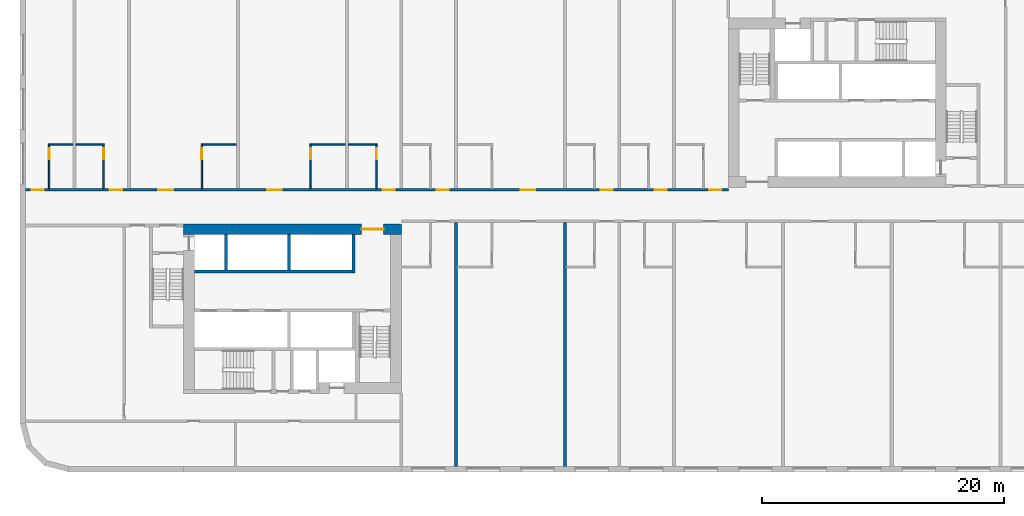
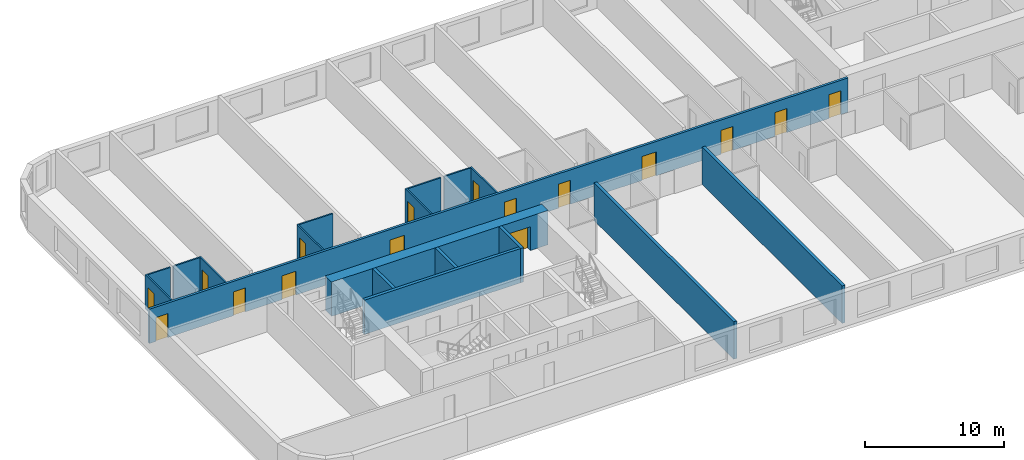
# One storey, part 3 of 12: 18 walls, 16 doors, 16 openings.
"""IFC4 building model written with IfcOpenShell, lengths in metres."""

from ifc_helpers import new_model, si_unit, direction, frame, frame_2d, origin, place, context, subcontext, project, spatial, rectangle, extrude, material, layer, layer_set, type_object, element, fill, save


model = new_model("IFC4")

# Units and contexts
model_context = context("Model", 3, precision=1e-05, world=origin(), true_north=direction((0.0, 1.0)))
body_context = subcontext(model_context, "Body", "Model", "MODEL_VIEW")
ifc_project = project(units=[si_unit("LENGTHUNIT", "METRE"), si_unit("AREAUNIT", "SQUARE_METRE"), si_unit("VOLUMEUNIT", "CUBIC_METRE"), si_unit("PLANEANGLEUNIT", "RADIAN"), si_unit("MASSUNIT", "GRAM", prefix="KILO")], contexts=[model_context])

# Site, building, storey
site_placement = place(None, origin())
site = spatial("IfcSite", under=ifc_project, at=site_placement, CompositionType="ELEMENT")
building_placement = place(site_placement, origin())
building = spatial("IfcBuilding", under=site, at=building_placement, Name="Kajstack Hotel Tower", CompositionType="ELEMENT")
storey_placement = place(building_placement, frame((0.0, 0.0, 66.60009765625)))
storey = spatial("IfcBuildingStorey", under=building, at=storey_placement, Name="L11", CompositionType="ELEMENT", Elevation=66.60009765625)

# Wall, opening, door
ifc_material_1 = material(Name="Concrete C60/75", Category="concrete")
ifc_layer_1 = layer(ifc_material_1, 0.89990234375)
ifc_layer_set_1 = layer_set([ifc_layer_1], Name="Core wall 900")
wall_type_1 = type_object("IfcWallType", Name="Core wall 900", PredefinedType="SHEAR", material=ifc_layer_set_1)
wall_1_placement = place(storey_placement, frame((-31.5, -1.949951171875, 0.0), z_axis=(0.0, 0.0, 1.0), x_axis=(1.0, 0.0, 0.0)))
wall_1 = element("IfcWall", 1, at=wall_1_placement, inside=storey, type_object=wall_type_1, Name="Core wall W RN", PredefinedType="SHEAR", context=body_context, shape_type="SweptSolid", body=[
    extrude(rectangle(XDim=18.0, YDim=0.89990234375, at=frame_2d((9.0, 0.0))), origin(), (0.0, 0.0, 1.0), 3.02001953125),
])
opening_1_placement = place(wall_1_placement, frame((14.72509765625, 0.0, 0.0)))
opening_1 = element("IfcOpeningElement", 2, at=opening_1_placement, cuts=wall_1, Name="Opening 11W06", PredefinedType="OPENING", context=body_context, shape_type="SweptSolid", body=[
    extrude(rectangle(XDim=1.800048828125, YDim=2.10009765625, at=frame_2d((0.89990234375, 1.050048828125))), frame((0.0, 0.4599609375, 0.0), z_axis=(0.0, -1.0, 0.0), x_axis=(1.0, 0.0, 0.0)), (0.0, 0.0, 1.0), 0.919921875),
])
ifc_material_2 = material(Name="Glazed steel frame, fire-rated glass", Category="steel")
door_type_1 = type_object("IfcDoorType", Name="Lobby double door 1800", OperationType="DOUBLE_DOOR_DOUBLE_SWING", PredefinedType="DOOR", material=ifc_material_2)
door_1_placement = place(opening_1_placement, origin())
door_1 = element("IfcDoor", 3, at=door_1_placement, inside=storey, type_object=door_type_1, Name="Door 11W06", OperationType="DOUBLE_DOOR_DOUBLE_SWING", OverallHeight=2.10009765625, OverallWidth=1.800048828125, PredefinedType="DOOR", context=body_context, shape_type="SweptSolid", body=[
    extrude(rectangle(XDim=1.800048828125, YDim=2.10009765625, at=frame_2d((0.89990234375, 1.050048828125))), frame((0.0, 0.02490234375, 0.0), z_axis=(0.0, -1.0, 0.0), x_axis=(1.0, 0.0, 0.0)), (0.0, 0.0, 1.0), 0.050048828125),
])
fill(opening_1, door_1)

# Wall, openings, doors
ifc_material_3 = material(Name="Gypsum board on steel studs, mineral wool", Category="steel")
ifc_layer_2 = layer(ifc_material_3, 0.199951171875)
ifc_layer_set_2 = layer_set([ifc_layer_2], Name="Corridor wall 200")
wall_type_2 = type_object("IfcWallType", Name="Corridor wall 200", PredefinedType="PARTITIONING", material=ifc_layer_set_2)
wall_2_placement = place(storey_placement, frame((-44.550048828125, 1.300048828125, 0.0), z_axis=(0.0, 0.0, 1.0), x_axis=(1.0, 0.0, 0.0)))
wall_2 = element("IfcWall", 4, at=wall_2_placement, inside=storey, type_object=wall_type_2, Name="G-wall-L11-003", PredefinedType="PARTITIONING", context=body_context, shape_type="SweptSolid", body=[
    extrude(rectangle(XDim=58.050048828125, YDim=0.199951171875, at=frame_2d((29.02490234375, 0.0))), origin(), (0.0, 0.0, 1.0), 3.02001953125),
])
opening_2_placement = place(wall_2_placement, frame((0.52490234375, 0.0, 0.0)))
opening_2 = element("IfcOpeningElement", 5, at=opening_2_placement, cuts=wall_2, Name="Opening 11001", PredefinedType="OPENING", context=body_context, shape_type="SweptSolid", body=[
    extrude(rectangle(XDim=1.0, YDim=2.10009765625, at=frame_2d((0.5, 1.050048828125))), frame((0.0, 0.10986328125, 0.0), z_axis=(0.0, -1.0, 0.0), x_axis=(1.0, 0.0, 0.0)), (0.0, 0.0, 1.0), 0.219970703125),
])
opening_3_placement = place(wall_2_placement, frame((6.97509765625, 0.0, 0.0)))
opening_3 = element("IfcOpeningElement", 6, at=opening_3_placement, cuts=wall_2, Name="Opening 11003", PredefinedType="OPENING", context=body_context, shape_type="SweptSolid", body=[
    extrude(rectangle(XDim=1.0, YDim=2.10009765625, at=frame_2d((0.5, 1.050048828125))), frame((0.0, 0.10986328125, 0.0), z_axis=(0.0, -1.0, 0.0), x_axis=(1.0, 0.0, 0.0)), (0.0, 0.0, 1.0), 0.219970703125),
])
opening_4_placement = place(wall_2_placement, frame((10.987060546875, 0.0, 0.0)))
opening_4 = element("IfcOpeningElement", 7, at=opening_4_placement, cuts=wall_2, Name="Opening 11005", PredefinedType="OPENING", context=body_context, shape_type="SweptSolid", body=[
    extrude(rectangle(XDim=1.199951171875, YDim=2.10009765625, at=frame_2d((0.60009765625, 1.050048828125))), frame((0.0, 0.10986328125, 0.0), z_axis=(0.0, -1.0, 0.0), x_axis=(1.0, 0.0, 0.0)), (0.0, 0.0, 1.0), 0.219970703125),
])
opening_5_placement = place(wall_2_placement, frame((19.987060546875, 0.0, 0.0)))
opening_5 = element("IfcOpeningElement", 8, at=opening_5_placement, cuts=wall_2, Name="Opening 11007", PredefinedType="OPENING", context=body_context, shape_type="SweptSolid", body=[
    extrude(rectangle(XDim=1.199951171875, YDim=2.10009765625, at=frame_2d((0.60009765625, 1.050048828125))), frame((0.0, 0.10986328125, 0.0), z_axis=(0.0, -1.0, 0.0), x_axis=(1.0, 0.0, 0.0)), (0.0, 0.0, 1.0), 0.219970703125),
])
opening_6_placement = place(wall_2_placement, frame((29.5, 0.0, 0.0)))
opening_6 = element("IfcOpeningElement", 9, at=opening_6_placement, cuts=wall_2, Name="Opening 11009", PredefinedType="OPENING", context=body_context, shape_type="SweptSolid", body=[
    extrude(rectangle(XDim=1.0, YDim=2.10009765625, at=frame_2d((0.5, 1.050048828125))), frame((0.0, 0.10986328125, 0.0), z_axis=(0.0, -1.0, 0.0), x_axis=(1.0, 0.0, 0.0)), (0.0, 0.0, 1.0), 0.219970703125),
])
opening_7_placement = place(wall_2_placement, frame((33.97509765625, 0.0, 0.0)))
opening_7 = element("IfcOpeningElement", 10, at=opening_7_placement, cuts=wall_2, Name="Opening 11011", PredefinedType="OPENING", context=body_context, shape_type="SweptSolid", body=[
    extrude(rectangle(XDim=1.0, YDim=2.10009765625, at=frame_2d((0.5, 1.050048828125))), frame((0.0, 0.10986328125, 0.0), z_axis=(0.0, -1.0, 0.0), x_axis=(1.0, 0.0, 0.0)), (0.0, 0.0, 1.0), 0.219970703125),
])
opening_8_placement = place(wall_2_placement, frame((40.912109375, 0.0, 0.0)))
opening_8 = element("IfcOpeningElement", 11, at=opening_8_placement, cuts=wall_2, Name="Opening 11013", PredefinedType="OPENING", context=body_context, shape_type="SweptSolid", body=[
    extrude(rectangle(XDim=1.199951171875, YDim=2.10009765625, at=frame_2d((0.60009765625, 1.050048828125))), frame((0.0, 0.10986328125, 0.0), z_axis=(0.0, -1.0, 0.0), x_axis=(1.0, 0.0, 0.0)), (0.0, 0.0, 1.0), 0.219970703125),
])
opening_9_placement = place(wall_2_placement, frame((47.5, 0.0, 0.0)))
opening_9 = element("IfcOpeningElement", 12, at=opening_9_placement, cuts=wall_2, Name="Opening 11015", PredefinedType="OPENING", context=body_context, shape_type="SweptSolid", body=[
    extrude(rectangle(XDim=1.0, YDim=2.10009765625, at=frame_2d((0.5, 1.050048828125))), frame((0.0, 0.10986328125, 0.0), z_axis=(0.0, -1.0, 0.0), x_axis=(1.0, 0.0, 0.0)), (0.0, 0.0, 1.0), 0.219970703125),
])
opening_10_placement = place(wall_2_placement, frame((51.97509765625, 0.0, 0.0)))
opening_10 = element("IfcOpeningElement", 13, at=opening_10_placement, cuts=wall_2, Name="Opening 11017", PredefinedType="OPENING", context=body_context, shape_type="SweptSolid", body=[
    extrude(rectangle(XDim=1.0, YDim=2.10009765625, at=frame_2d((0.5, 1.050048828125))), frame((0.0, 0.10986328125, 0.0), z_axis=(0.0, -1.0, 0.0), x_axis=(1.0, 0.0, 0.0)), (0.0, 0.0, 1.0), 0.219970703125),
])
opening_11_placement = place(wall_2_placement, frame((56.47509765625, 0.0, 0.0)))
opening_11 = element("IfcOpeningElement", 14, at=opening_11_placement, cuts=wall_2, Name="Opening 11019", PredefinedType="OPENING", context=body_context, shape_type="SweptSolid", body=[
    extrude(rectangle(XDim=1.0, YDim=2.10009765625, at=frame_2d((0.5, 1.050048828125))), frame((0.0, 0.10986328125, 0.0), z_axis=(0.0, -1.0, 0.0), x_axis=(1.0, 0.0, 0.0)), (0.0, 0.0, 1.0), 0.219970703125),
])
ifc_material_4 = material(Name="Oak veneer on timber core, fire-rated leaf", Category="wood")
door_type_2 = type_object("IfcDoorType", Name="Flat entrance door 1000", OperationType="SINGLE_SWING_LEFT", PredefinedType="DOOR", material=ifc_material_4)
door_2_placement = place(opening_2_placement, origin())
door_2 = element("IfcDoor", 15, at=door_2_placement, inside=storey, type_object=door_type_2, Name="G-door-L11-01", OperationType="SINGLE_SWING_LEFT", OverallHeight=2.10009765625, OverallWidth=1.0, PredefinedType="DOOR", context=body_context, shape_type="SweptSolid", body=[
    extrude(rectangle(XDim=1.0, YDim=2.10009765625, at=frame_2d((0.5, 1.050048828125))), frame((0.0, 0.02490234375, 0.0), z_axis=(0.0, -1.0, 0.0), x_axis=(1.0, 0.0, 0.0)), (0.0, 0.0, 1.0), 0.050048828125),
])
fill(opening_2, door_2)
door_3_placement = place(opening_3_placement, origin())
door_3 = element("IfcDoor", 16, at=door_3_placement, inside=storey, type_object=door_type_2, Name="G-door-L11-03", OperationType="SINGLE_SWING_LEFT", OverallHeight=2.10009765625, OverallWidth=1.0, PredefinedType="DOOR", context=body_context, shape_type="SweptSolid", body=[
    extrude(rectangle(XDim=1.0, YDim=2.10009765625, at=frame_2d((0.5, 1.050048828125))), frame((0.0, 0.02490234375, 0.0), z_axis=(0.0, -1.0, 0.0), x_axis=(1.0, 0.0, 0.0)), (0.0, 0.0, 1.0), 0.050048828125),
])
fill(opening_3, door_3)
door_4_placement = place(opening_6_placement, origin())
door_4 = element("IfcDoor", 17, at=door_4_placement, inside=storey, type_object=door_type_2, Name="G-door-L11-09", OperationType="SINGLE_SWING_LEFT", OverallHeight=2.10009765625, OverallWidth=1.0, PredefinedType="DOOR", context=body_context, shape_type="SweptSolid", body=[
    extrude(rectangle(XDim=1.0, YDim=2.10009765625, at=frame_2d((0.5, 1.050048828125))), frame((0.0, 0.02490234375, 0.0), z_axis=(0.0, -1.0, 0.0), x_axis=(1.0, 0.0, 0.0)), (0.0, 0.0, 1.0), 0.050048828125),
])
fill(opening_6, door_4)
door_5_placement = place(opening_7_placement, origin())
door_5 = element("IfcDoor", 18, at=door_5_placement, inside=storey, type_object=door_type_2, Name="G-door-L11-11", OperationType="SINGLE_SWING_RIGHT", OverallHeight=2.10009765625, OverallWidth=1.0, PredefinedType="DOOR", context=body_context, shape_type="SweptSolid", body=[
    extrude(rectangle(XDim=1.0, YDim=2.10009765625, at=frame_2d((0.5, 1.050048828125))), frame((0.0, 0.02490234375, 0.0), z_axis=(0.0, -1.0, 0.0), x_axis=(1.0, 0.0, 0.0)), (0.0, 0.0, 1.0), 0.050048828125),
])
fill(opening_7, door_5)
door_6_placement = place(opening_9_placement, origin())
door_6 = element("IfcDoor", 19, at=door_6_placement, inside=storey, type_object=door_type_2, Name="G-door-L11-15", OperationType="SINGLE_SWING_RIGHT", OverallHeight=2.10009765625, OverallWidth=1.0, PredefinedType="DOOR", context=body_context, shape_type="SweptSolid", body=[
    extrude(rectangle(XDim=1.0, YDim=2.10009765625, at=frame_2d((0.5, 1.050048828125))), frame((0.0, 0.02490234375, 0.0), z_axis=(0.0, -1.0, 0.0), x_axis=(1.0, 0.0, 0.0)), (0.0, 0.0, 1.0), 0.050048828125),
])
fill(opening_9, door_6)
door_7_placement = place(opening_10_placement, origin())
door_7 = element("IfcDoor", 20, at=door_7_placement, inside=storey, type_object=door_type_2, Name="G-door-L11-17", OperationType="SINGLE_SWING_RIGHT", OverallHeight=2.10009765625, OverallWidth=1.0, PredefinedType="DOOR", context=body_context, shape_type="SweptSolid", body=[
    extrude(rectangle(XDim=1.0, YDim=2.10009765625, at=frame_2d((0.5, 1.050048828125))), frame((0.0, 0.02490234375, 0.0), z_axis=(0.0, -1.0, 0.0), x_axis=(1.0, 0.0, 0.0)), (0.0, 0.0, 1.0), 0.050048828125),
])
fill(opening_10, door_7)
door_8_placement = place(opening_11_placement, origin())
door_8 = element("IfcDoor", 21, at=door_8_placement, inside=storey, type_object=door_type_2, Name="G-door-L11-19", OperationType="SINGLE_SWING_RIGHT", OverallHeight=2.10009765625, OverallWidth=1.0, PredefinedType="DOOR", context=body_context, shape_type="SweptSolid", body=[
    extrude(rectangle(XDim=1.0, YDim=2.10009765625, at=frame_2d((0.5, 1.050048828125))), frame((0.0, 0.02490234375, 0.0), z_axis=(0.0, -1.0, 0.0), x_axis=(1.0, 0.0, 0.0)), (0.0, 0.0, 1.0), 0.050048828125),
])
fill(opening_11, door_8)
door_type_3 = type_object("IfcDoorType", Name="Flat entrance door 1200", OperationType="SINGLE_SWING_LEFT", PredefinedType="DOOR", material=ifc_material_4)
door_9_placement = place(opening_4_placement, origin())
door_9 = element("IfcDoor", 22, at=door_9_placement, inside=storey, type_object=door_type_3, Name="G-door-L11-05", OperationType="SINGLE_SWING_RIGHT", OverallHeight=2.10009765625, OverallWidth=1.199951171875, PredefinedType="DOOR", context=body_context, shape_type="SweptSolid", body=[
    extrude(rectangle(XDim=1.199951171875, YDim=2.10009765625, at=frame_2d((0.60009765625, 1.050048828125))), frame((0.0, 0.02490234375, 0.0), z_axis=(0.0, -1.0, 0.0), x_axis=(1.0, 0.0, 0.0)), (0.0, 0.0, 1.0), 0.050048828125),
])
fill(opening_4, door_9)
door_10_placement = place(opening_5_placement, origin())
door_10 = element("IfcDoor", 23, at=door_10_placement, inside=storey, type_object=door_type_3, Name="G-door-L11-07", OperationType="SINGLE_SWING_RIGHT", OverallHeight=2.10009765625, OverallWidth=1.199951171875, PredefinedType="DOOR", context=body_context, shape_type="SweptSolid", body=[
    extrude(rectangle(XDim=1.199951171875, YDim=2.10009765625, at=frame_2d((0.60009765625, 1.050048828125))), frame((0.0, 0.02490234375, 0.0), z_axis=(0.0, -1.0, 0.0), x_axis=(1.0, 0.0, 0.0)), (0.0, 0.0, 1.0), 0.050048828125),
])
fill(opening_5, door_10)
door_11_placement = place(opening_8_placement, origin())
door_11 = element("IfcDoor", 24, at=door_11_placement, inside=storey, type_object=door_type_3, Name="G-door-L11-13", OperationType="SINGLE_SWING_RIGHT", OverallHeight=2.10009765625, OverallWidth=1.199951171875, PredefinedType="DOOR", context=body_context, shape_type="SweptSolid", body=[
    extrude(rectangle(XDim=1.199951171875, YDim=2.10009765625, at=frame_2d((0.60009765625, 1.050048828125))), frame((0.0, 0.02490234375, 0.0), z_axis=(0.0, -1.0, 0.0), x_axis=(1.0, 0.0, 0.0)), (0.0, 0.0, 1.0), 0.050048828125),
])
fill(opening_8, door_11)

# Wall, opening, door
ifc_material_5 = material(Name="Gypsum board and tiled backer on steel studs", Category="steel")
ifc_layer_3 = layer(ifc_material_5, 0.125)
ifc_layer_set_3 = layer_set([ifc_layer_3], Name="En-suite wall 125")
wall_type_3 = type_object("IfcWallType", Name="En-suite wall 125", PredefinedType="PARTITIONING", material=ifc_layer_set_3)
wall_3_placement = place(storey_placement, frame((-42.5869140625, 1.39990234375, 0.0), z_axis=(0.0, 0.0, 1.0), x_axis=(0.0, 1.0, 0.0)))
wall_3 = element("IfcWall", 25, at=wall_3_placement, inside=storey, type_object=wall_type_3, Name="G-wall-L11-004", PredefinedType="PARTITIONING", context=body_context, shape_type="SweptSolid", body=[
    extrude(rectangle(XDim=3.72509765625, YDim=0.125, at=frame_2d((1.862548828125, 0.0))), origin(), (0.0, 0.0, 1.0), 3.02001953125),
])
opening_12_placement = place(wall_3_placement, frame((2.449951171875, 0.0, 0.0)))
opening_12 = element("IfcOpeningElement", 26, at=opening_12_placement, cuts=wall_3, Name="Opening 11002", PredefinedType="OPENING", context=body_context, shape_type="SweptSolid", body=[
    extrude(rectangle(XDim=0.89990234375, YDim=2.10009765625, at=frame_2d((0.449951171875, 1.050048828125))), frame((0.0, 0.072509765625, 0.0), z_axis=(0.0, -1.0, 0.0), x_axis=(1.0, 0.0, 0.0)), (0.0, 0.0, 1.0), 0.14501953125),
])
ifc_material_6 = material(Name="Painted timber door leaf", Category="wood")
door_type_4 = type_object("IfcDoorType", Name="Room door 900", OperationType="SINGLE_SWING_LEFT", PredefinedType="DOOR", material=ifc_material_6)
door_12_placement = place(opening_12_placement, origin())
door_12 = element("IfcDoor", 27, at=door_12_placement, inside=storey, type_object=door_type_4, Name="G-door-L11-02", OperationType="SINGLE_SWING_RIGHT", OverallHeight=2.10009765625, OverallWidth=0.89990234375, PredefinedType="DOOR", context=body_context, shape_type="SweptSolid", body=[
    extrude(rectangle(XDim=0.89990234375, YDim=2.10009765625, at=frame_2d((0.449951171875, 1.050048828125))), frame((0.0, 0.02490234375, 0.0), z_axis=(0.0, -1.0, 0.0), x_axis=(1.0, 0.0, 0.0)), (0.0, 0.0, 1.0), 0.050048828125),
])
fill(opening_12, door_12)

# Wall
wall_4_placement = place(storey_placement, frame((-42.52490234375, 5.06201171875, 0.0), z_axis=(0.0, 0.0, 1.0), x_axis=(1.0, 0.0, 0.0)))
element("IfcWall", 28, at=wall_4_placement, inside=storey, type_object=wall_type_3, Name="G-wall-L11-005", PredefinedType="PARTITIONING", context=body_context, shape_type="SweptSolid", body=[
    extrude(rectangle(XDim=1.89990234375, YDim=0.125, at=frame_2d((0.949951171875, 0.0))), origin(), (0.0, 0.0, 1.0), 3.02001953125),
])

# Wall, opening, door
wall_5_placement = place(storey_placement, frame((-38.0869140625, 1.39990234375, 0.0), z_axis=(0.0, 0.0, 1.0), x_axis=(0.0, 1.0, 0.0)))
wall_5 = element("IfcWall", 29, at=wall_5_placement, inside=storey, type_object=wall_type_3, Name="G-wall-L11-006", PredefinedType="PARTITIONING", context=body_context, shape_type="SweptSolid", body=[
    extrude(rectangle(XDim=3.72509765625, YDim=0.125, at=frame_2d((1.862548828125, 0.0))), origin(), (0.0, 0.0, 1.0), 3.02001953125),
])
opening_13_placement = place(wall_5_placement, frame((2.449951171875, 0.0, 0.0)))
opening_13 = element("IfcOpeningElement", 30, at=opening_13_placement, cuts=wall_5, Name="Opening 11004", PredefinedType="OPENING", context=body_context, shape_type="SweptSolid", body=[
    extrude(rectangle(XDim=0.89990234375, YDim=2.10009765625, at=frame_2d((0.449951171875, 1.050048828125))), frame((0.0, 0.072509765625, 0.0), z_axis=(0.0, -1.0, 0.0), x_axis=(1.0, 0.0, 0.0)), (0.0, 0.0, 1.0), 0.14501953125),
])
door_13_placement = place(opening_13_placement, origin())
door_13 = element("IfcDoor", 31, at=door_13_placement, inside=storey, type_object=door_type_4, Name="G-door-L11-04", OperationType="SINGLE_SWING_RIGHT", OverallHeight=2.10009765625, OverallWidth=0.89990234375, PredefinedType="DOOR", context=body_context, shape_type="SweptSolid", body=[
    extrude(rectangle(XDim=0.89990234375, YDim=2.10009765625, at=frame_2d((0.449951171875, 1.050048828125))), frame((0.0, 0.02490234375, 0.0), z_axis=(0.0, -1.0, 0.0), x_axis=(1.0, 0.0, 0.0)), (0.0, 0.0, 1.0), 0.050048828125),
])
fill(opening_13, door_13)

# Wall
wall_6_placement = place(storey_placement, frame((-40.375, 5.06201171875, 0.0), z_axis=(0.0, 0.0, 1.0), x_axis=(1.0, 0.0, 0.0)))
element("IfcWall", 32, at=wall_6_placement, inside=storey, type_object=wall_type_3, Name="G-wall-L11-007", PredefinedType="PARTITIONING", context=body_context, shape_type="SweptSolid", body=[
    extrude(rectangle(XDim=2.22509765625, YDim=0.125, at=frame_2d((1.112548828125, 0.0))), origin(), (0.0, 0.0, 1.0), 3.02001953125),
])

# Wall, opening, door
wall_7_placement = place(storey_placement, frame((-29.988037109375, 1.39990234375, 0.0), z_axis=(0.0, 0.0, 1.0), x_axis=(0.0, 1.0, 0.0)))
wall_7 = element("IfcWall", 33, at=wall_7_placement, inside=storey, type_object=wall_type_3, Name="G-wall-L11-008", PredefinedType="PARTITIONING", context=body_context, shape_type="SweptSolid", body=[
    extrude(rectangle(XDim=3.72509765625, YDim=0.125, at=frame_2d((1.862548828125, 0.0))), origin(), (0.0, 0.0, 1.0), 3.02001953125),
])
opening_14_placement = place(wall_7_placement, frame((2.449951171875, 0.0, 0.0)))
opening_14 = element("IfcOpeningElement", 34, at=opening_14_placement, cuts=wall_7, Name="Opening 11006", PredefinedType="OPENING", context=body_context, shape_type="SweptSolid", body=[
    extrude(rectangle(XDim=0.89990234375, YDim=2.10009765625, at=frame_2d((0.449951171875, 1.050048828125))), frame((0.0, 0.072509765625, 0.0), z_axis=(0.0, -1.0, 0.0), x_axis=(1.0, 0.0, 0.0)), (0.0, 0.0, 1.0), 0.14501953125),
])
door_14_placement = place(opening_14_placement, origin())
door_14 = element("IfcDoor", 35, at=door_14_placement, inside=storey, type_object=door_type_4, Name="G-door-L11-06", OperationType="SINGLE_SWING_RIGHT", OverallHeight=2.10009765625, OverallWidth=0.89990234375, PredefinedType="DOOR", context=body_context, shape_type="SweptSolid", body=[
    extrude(rectangle(XDim=0.89990234375, YDim=2.10009765625, at=frame_2d((0.449951171875, 1.050048828125))), frame((0.0, 0.02490234375, 0.0), z_axis=(0.0, -1.0, 0.0), x_axis=(1.0, 0.0, 0.0)), (0.0, 0.0, 1.0), 0.050048828125),
])
fill(opening_14, door_14)

# Wall
wall_8_placement = place(storey_placement, frame((-29.925048828125, 5.06201171875, 0.0), z_axis=(0.0, 0.0, 1.0), x_axis=(1.0, 0.0, 0.0)))
element("IfcWall", 36, at=wall_8_placement, inside=storey, type_object=wall_type_3, Name="G-wall-L11-009", PredefinedType="PARTITIONING", context=body_context, shape_type="SweptSolid", body=[
    extrude(rectangle(XDim=2.800048828125, YDim=0.125, at=frame_2d((1.39990234375, 0.0))), origin(), (0.0, 0.0, 1.0), 3.02001953125),
])

# Wall, opening, door
wall_9_placement = place(storey_placement, frame((-20.988037109375, 1.39990234375, 0.0), z_axis=(0.0, 0.0, 1.0), x_axis=(0.0, 1.0, 0.0)))
wall_9 = element("IfcWall", 37, at=wall_9_placement, inside=storey, type_object=wall_type_3, Name="G-wall-L11-010", PredefinedType="PARTITIONING", context=body_context, shape_type="SweptSolid", body=[
    extrude(rectangle(XDim=3.72509765625, YDim=0.125, at=frame_2d((1.862548828125, 0.0))), origin(), (0.0, 0.0, 1.0), 3.02001953125),
])
opening_15_placement = place(wall_9_placement, frame((2.449951171875, 0.0, 0.0)))
opening_15 = element("IfcOpeningElement", 38, at=opening_15_placement, cuts=wall_9, Name="Opening 11008", PredefinedType="OPENING", context=body_context, shape_type="SweptSolid", body=[
    extrude(rectangle(XDim=0.89990234375, YDim=2.10009765625, at=frame_2d((0.449951171875, 1.050048828125))), frame((0.0, 0.072509765625, 0.0), z_axis=(0.0, -1.0, 0.0), x_axis=(1.0, 0.0, 0.0)), (0.0, 0.0, 1.0), 0.14501953125),
])
door_15_placement = place(opening_15_placement, origin())
door_15 = element("IfcDoor", 39, at=door_15_placement, inside=storey, type_object=door_type_4, Name="G-door-L11-08", OperationType="SINGLE_SWING_LEFT", OverallHeight=2.10009765625, OverallWidth=0.89990234375, PredefinedType="DOOR", context=body_context, shape_type="SweptSolid", body=[
    extrude(rectangle(XDim=0.89990234375, YDim=2.10009765625, at=frame_2d((0.449951171875, 1.050048828125))), frame((0.0, 0.02490234375, 0.0), z_axis=(0.0, -1.0, 0.0), x_axis=(1.0, 0.0, 0.0)), (0.0, 0.0, 1.0), 0.050048828125),
])
fill(opening_15, door_15)

# Wall
wall_10_placement = place(storey_placement, frame((-20.925048828125, 5.06201171875, 0.0), z_axis=(0.0, 0.0, 1.0), x_axis=(1.0, 0.0, 0.0)))
element("IfcWall", 40, at=wall_10_placement, inside=storey, type_object=wall_type_3, Name="G-wall-L11-011", PredefinedType="PARTITIONING", context=body_context, shape_type="SweptSolid", body=[
    extrude(rectangle(XDim=2.800048828125, YDim=0.125, at=frame_2d((1.39990234375, 0.0))), origin(), (0.0, 0.0, 1.0), 3.02001953125),
])

# Wall, opening, door
wall_11_placement = place(storey_placement, frame((-15.56201171875, 1.39990234375, 0.0), z_axis=(0.0, 0.0, 1.0), x_axis=(0.0, 1.0, 0.0)))
wall_11 = element("IfcWall", 41, at=wall_11_placement, inside=storey, type_object=wall_type_3, Name="G-wall-L11-013", PredefinedType="PARTITIONING", context=body_context, shape_type="SweptSolid", body=[
    extrude(rectangle(XDim=3.72509765625, YDim=0.125, at=frame_2d((1.862548828125, 0.0))), origin(), (0.0, 0.0, 1.0), 3.02001953125),
])
opening_16_placement = place(wall_11_placement, frame((2.449951171875, 0.0, 0.0)))
opening_16 = element("IfcOpeningElement", 42, at=opening_16_placement, cuts=wall_11, Name="Opening 11010", PredefinedType="OPENING", context=body_context, shape_type="SweptSolid", body=[
    extrude(rectangle(XDim=0.89990234375, YDim=2.10009765625, at=frame_2d((0.449951171875, 1.050048828125))), frame((0.0, 0.072509765625, 0.0), z_axis=(0.0, -1.0, 0.0), x_axis=(1.0, 0.0, 0.0)), (0.0, 0.0, 1.0), 0.14501953125),
])
door_16_placement = place(opening_16_placement, origin())
door_16 = element("IfcDoor", 43, at=door_16_placement, inside=storey, type_object=door_type_4, Name="G-door-L11-10", OperationType="SINGLE_SWING_LEFT", OverallHeight=2.10009765625, OverallWidth=0.89990234375, PredefinedType="DOOR", context=body_context, shape_type="SweptSolid", body=[
    extrude(rectangle(XDim=0.89990234375, YDim=2.10009765625, at=frame_2d((0.449951171875, 1.050048828125))), frame((0.0, 0.02490234375, 0.0), z_axis=(0.0, -1.0, 0.0), x_axis=(1.0, 0.0, 0.0)), (0.0, 0.0, 1.0), 0.050048828125),
])
fill(opening_16, door_16)

# Walls
wall_12_placement = place(storey_placement, frame((-17.875, 5.06201171875, 0.0), z_axis=(0.0, 0.0, 1.0), x_axis=(1.0, 0.0, 0.0)))
element("IfcWall", 44, at=wall_12_placement, inside=storey, type_object=wall_type_3, Name="G-wall-L11-014", PredefinedType="PARTITIONING", context=body_context, shape_type="SweptSolid", body=[
    extrude(rectangle(XDim=2.25, YDim=0.125, at=frame_2d((1.125, 0.0))), origin(), (0.0, 0.0, 1.0), 3.02001953125),
])
ifc_material_7 = material(Name="Concrete C50/60", Category="concrete")
ifc_layer_4 = layer(ifc_material_7, 0.300048828125)
ifc_layer_set_4 = layer_set([ifc_layer_4], Name="Hoistway divider wall 300")
wall_type_4 = type_object("IfcWallType", Name="Hoistway divider wall 300", PredefinedType="SHEAR", material=ifc_layer_set_4)
wall_13_placement = place(storey_placement, frame((-22.77490234375, -5.300048828125, 0.0), z_axis=(0.0, 0.0, 1.0), x_axis=(0.0, 1.0, 0.0)))
element("IfcWall", 45, at=wall_13_placement, inside=storey, type_object=wall_type_4, Name="Core wall W AP2", PredefinedType="SHEAR", context=body_context, shape_type="SweptSolid", body=[
    extrude(rectangle(XDim=2.900146484375, YDim=0.25, at=frame_2d((1.4501953125, 0.0))), origin(), (0.0, 0.0, 1.0), 3.02001953125),
])
ifc_layer_5 = layer(ifc_material_1, 0.25)
ifc_layer_set_5 = layer_set([ifc_layer_5], Name="RC cross wall 250 C60/75")
wall_type_5 = type_object("IfcWallType", Name="RC cross wall 250 C60/75", PredefinedType="SHEAR", material=ifc_layer_set_5)
for number, where, z_axis, x_axis, name in (
    (46, (-9.0, -21.5400390625, 0.0), (0.0, 0.0, 1.0), (0.0, 1.0, 0.0), "S-wall-L11-05"),
    (47, (0.0, -21.5400390625, 0.0), (0.0, 0.0, 1.0), (0.0, 1.0, 0.0), "S-wall-L11-07"),
):
    element("IfcWall", number, at=place(storey_placement, frame(where, z_axis=z_axis, x_axis=x_axis)), inside=storey, type_object=wall_type_5, Name=name, PredefinedType="SHEAR", context=body_context, shape_type="SweptSolid", body=[
        extrude(rectangle(XDim=20.14013671875, YDim=0.25, at=frame_2d((10.070068359375, 0.0))), origin(), (0.0, 0.0, 1.0), 3.2998046875),
    ])
ifc_layer_6 = layer(ifc_material_7, 0.25)
ifc_layer_set_6 = layer_set([ifc_layer_6], Name="Shaft wall 250")
wall_type_6 = type_object("IfcWallType", Name="Shaft wall 250", PredefinedType="SHEAR", material=ifc_layer_set_6)
wall_14_placement = place(storey_placement, frame((-30.60009765625, -5.425048828125, 0.0), z_axis=(0.0, 0.0, 1.0), x_axis=(1.0, 0.0, 0.0)))
element("IfcWall", 48, at=wall_14_placement, inside=storey, type_object=wall_type_6, Name="Core wall W FA", PredefinedType="SHEAR", context=body_context, shape_type="SweptSolid", body=[
    extrude(rectangle(XDim=13.0, YDim=0.25, at=frame_2d((6.5, 0.0))), origin(), (0.0, 0.0, 1.0), 3.02001953125),
])
wall_15_placement = place(storey_placement, frame((-17.47509765625, -5.550048828125, 0.0), z_axis=(0.0, 0.0, 1.0), x_axis=(0.0, 1.0, 0.0)))
element("IfcWall", 49, at=wall_15_placement, inside=storey, type_object=wall_type_6, Name="Core wall W AE", PredefinedType="SHEAR", context=body_context, shape_type="SweptSolid", body=[
    extrude(rectangle(XDim=3.150146484375, YDim=0.25, at=frame_2d((1.5751953125, 0.0))), origin(), (0.0, 0.0, 1.0), 3.02001953125),
])
wall_16_placement = place(storey_placement, frame((-27.97509765625, -5.300048828125, 0.0), z_axis=(0.0, 0.0, 1.0), x_axis=(0.0, 1.0, 0.0)))
element("IfcWall", 50, at=wall_16_placement, inside=storey, type_object=wall_type_6, Name="Core wall W AP0", PredefinedType="SHEAR", context=body_context, shape_type="SweptSolid", body=[
    extrude(rectangle(XDim=2.900146484375, YDim=0.25, at=frame_2d((1.4501953125, 0.0))), origin(), (0.0, 0.0, 1.0), 3.02001953125),
])

save(model, "model.ifc")
